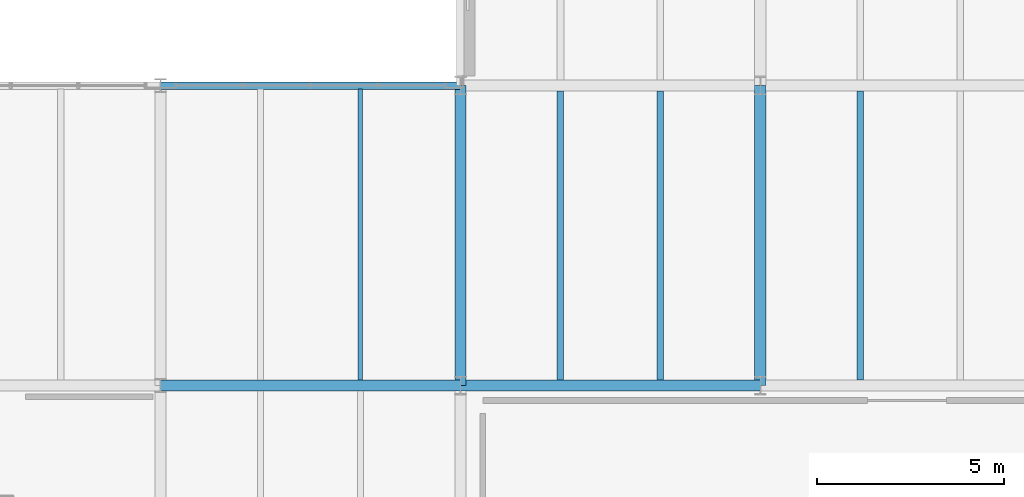
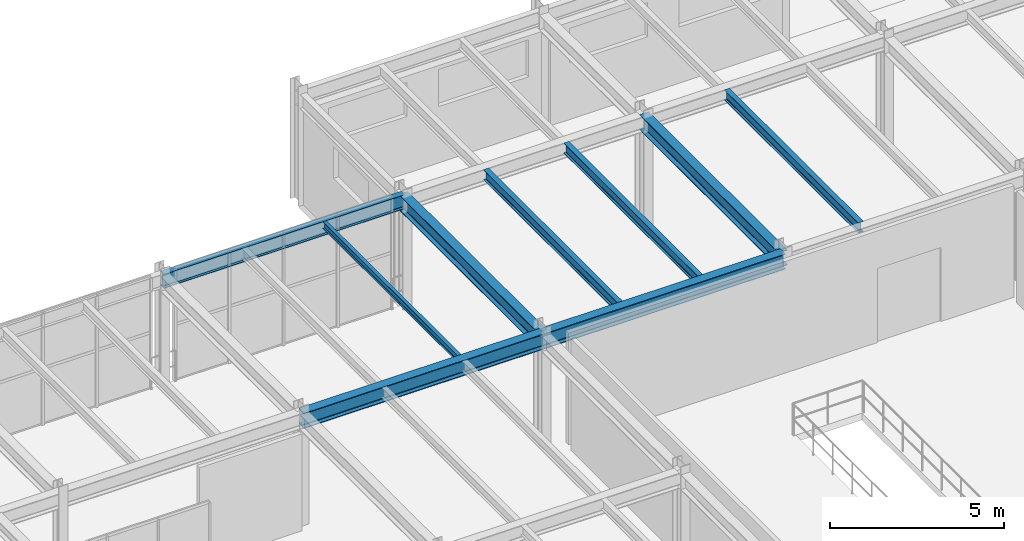
# One storey, part 39 of 122: 9 beams.
"""IFC4 building model written with IfcOpenShell, lengths in metres."""

import ifcopenshell
import ifcopenshell.guid

model = None  # the IFC model being written
_history = None  # IfcOwnerHistory: only IFC2X3 demands one
_inside = {}  # id of a spatial element -> (the spatial element, [elements in it])
_under = {}  # id of a project, library or spatial element -> (it, [spatial elements below it])
_declared = {}  # id of a project -> (the project, [libraries it declares])
_typed = {}  # id of a type object -> (the type object, [elements of that type])
_made_of = {}  # id of a material, layer set ... -> (it, [elements and type objects made of it])


def new_model(schema):
    """Start an empty IFC model of exactly this schema.

    Asked for "IFC4X3", IfcOpenShell would pick the latest addendum, in which some entities
    have other attributes; the version numbers below select the first issue.
    IFC2X3 requires an IfcOwnerHistory on every rooted entity: one is made here for all.
    """
    global model, _history
    if schema == "IFC4X3":
        model = ifcopenshell.file(schema_version=(4, 3, 0, 0))
    else:
        model = ifcopenshell.file(schema=schema)
    _inside.clear()
    _under.clear()
    _declared.clear()
    _typed.clear()
    _made_of.clear()
    _history = None
    if model.schema == "IFC2X3":
        org = make("IfcOrganization", Name="unknown")
        user = make(
            "IfcPersonAndOrganization",
            ThePerson=make("IfcPerson", FamilyName="unknown"),
            TheOrganization=org,
        )
        app = make(
            "IfcApplication",
            ApplicationDeveloper=org,
            Version="unknown",
            ApplicationFullName="unknown",
            ApplicationIdentifier="unknown",
        )
        _history = make(
            "IfcOwnerHistory",
            OwningUser=user,
            OwningApplication=app,
            ChangeAction="ADDED",
            CreationDate=0,
        )
    return model


def make(cls, **values):
    """One entity of the class cls with the attributes given. An attribute that is None is left unset."""
    return model.create_entity(
        cls, **{name: value for name, value in values.items() if value is not None}
    )


def rooted(cls, **values):
    """An entity with a GlobalId (a new one), such as an element, a storey or a relation."""
    return make(cls, GlobalId=ifcopenshell.guid.new(), OwnerHistory=_history, **values)


def si_unit(unit_type, name, prefix=None):
    """IfcSIUnit, for example si_unit("LENGTHUNIT", "METRE", prefix="MILLI")."""
    return make("IfcSIUnit", UnitType=unit_type, Prefix=prefix, Name=name)


def assignment(units):
    """IfcUnitAssignment: the units of a project."""
    return None if units is None else make("IfcUnitAssignment", Units=units)


def point(xyz):
    """IfcCartesianPoint."""
    return None if xyz is None else make("IfcCartesianPoint", Coordinates=xyz)


def direction(xyz):
    """IfcDirection."""
    return None if xyz is None else make("IfcDirection", DirectionRatios=xyz)


def frame(location, z_axis=None, x_axis=None):
    """IfcAxis2Placement3D, a coordinate frame: its origin and axes. An axis left out is left unset."""
    return make(
        "IfcAxis2Placement3D",
        Location=point(location),
        Axis=direction(z_axis),
        RefDirection=direction(x_axis),
    )


def frame_2d(location, x_axis=None):
    """IfcAxis2Placement2D, a coordinate frame in the plane: its origin and x axis."""
    return make(
        "IfcAxis2Placement2D", Location=point(location), RefDirection=direction(x_axis)
    )


def origin():
    """The frame at (0, 0, 0) with its axes left unset."""
    return frame((0.0, 0.0, 0.0))


def origin_2d():
    """The frame at (0, 0) in the plane with its x axis left unset."""
    return frame_2d((0.0, 0.0))


def place(relative_to, where):
    """IfcLocalPlacement: puts the frame where relative to a parent placement (None: the world)."""
    return make(
        "IfcLocalPlacement", PlacementRelTo=relative_to, RelativePlacement=where
    )


def context(
    kind, dimensions, precision=None, world=None, true_north=None, identifier=None
):
    """IfcGeometricRepresentationContext, for example the 3D "Model" context."""
    return make(
        "IfcGeometricRepresentationContext",
        ContextIdentifier=identifier,
        ContextType=kind,
        CoordinateSpaceDimension=dimensions,
        Precision=precision,
        WorldCoordinateSystem=world,
        TrueNorth=true_north,
    )


def subcontext(parent, identifier, kind, view, scale=None):
    """IfcGeometricRepresentationSubContext, for example "Body" below "Model"."""
    return make(
        "IfcGeometricRepresentationSubContext",
        ContextIdentifier=identifier,
        ContextType=kind,
        ParentContext=parent,
        TargetScale=scale,
        TargetView=view,
    )


def project(units=None, contexts=None):
    """IfcProject with its units and contexts."""
    return rooted(
        "IfcProject",
        Name="project",
        RepresentationContexts=contexts,
        UnitsInContext=assignment(units),
    )


def spatial(cls, under=None, at=None, **own):
    """A site, building, storey or space (cls), placed at a placement, below another one or the project."""
    s = rooted(cls, ObjectPlacement=at, **own)
    if under is not None:
        _under.setdefault(under.id(), (under, []))[1].append(s)
    return s


def profile(cls, at=None, kind="AREA", **sizes):
    """A parametric profile (cls). Its sizes go by their IFC names, for example OverallWidth=200.0."""
    return make(cls, ProfileType=kind, Position=at, **sizes)


def i_section(**sizes):
    """IfcIShapeProfileDef."""
    return profile("IfcIShapeProfileDef", **sizes)


def extrude(swept, where, along, depth):
    """IfcExtrudedAreaSolid: the profile swept, set in the frame where, extruded along a direction by depth."""
    return make(
        "IfcExtrudedAreaSolid",
        SweptArea=swept,
        Position=where,
        ExtrudedDirection=direction(along),
        Depth=depth,
    )


def shape(context_of_items, identifier, shape_type, items):
    """IfcShapeRepresentation: the items that make up one representation, for example the "Body"."""
    return make(
        "IfcShapeRepresentation",
        ContextOfItems=context_of_items,
        RepresentationIdentifier=identifier,
        RepresentationType=shape_type,
        Items=items,
    )


def material(Name=None, Category=None):
    """IfcMaterial."""
    return make("IfcMaterial", Name=Name, Category=Category)


def material_profile(
    of_material, cross_section, Name=None, Category=None, Priority=None
):
    """IfcMaterialProfile: a cross section and its material."""
    return make(
        "IfcMaterialProfile",
        Name=Name,
        Material=of_material,
        Profile=cross_section,
        Priority=Priority,
        Category=Category,
    )


def profile_set(profiles, Name=None, composite=None):
    """IfcMaterialProfileSet."""
    return make(
        "IfcMaterialProfileSet",
        Name=Name,
        MaterialProfiles=profiles,
        CompositeProfile=composite,
    )


def made_of(thing, what):
    """Note that an element or type object is made of a material, layer set ...; save() writes the relation."""
    if what is not None:
        _made_of.setdefault(what.id(), (what, []))[1].append(thing)
    return thing


def type_object(cls, material=None, **own):
    """A type object (cls), such as IfcWallType, which elements share."""
    return made_of(rooted(cls, **own), material)


def element(
    cls,
    number,
    at=None,
    inside=None,
    cuts=None,
    type_object=None,
    material=None,
    context=None,
    identifier="Body",
    shape_type=None,
    held_by="IfcProductDefinitionShape",
    body=None,
    shapes=None,
    **own,
):
    """One element of the class cls, such as IfcWall. Its Tag is "e" and its number.

    at: its placement. inside: the storey or other place that contains it. cuts: it is an
    opening in that element (IfcRelVoidsElement). A single representation is given by context,
    identifier, shape_type and body (its items); several are given by shapes. held_by: the class
    of the entity that holds the representations. save() writes the other relations.
    """
    e = rooted(cls, Tag="e%d" % number, ObjectPlacement=at, **own)
    if body is not None:
        shapes = [shape(context, identifier, shape_type, body)]
    if shapes is not None:
        e.Representation = make(held_by, Representations=shapes)
    if inside is not None:
        _inside.setdefault(inside.id(), (inside, []))[1].append(e)
    if cuts is not None:
        rooted(
            "IfcRelVoidsElement", RelatingBuildingElement=cuts, RelatedOpeningElement=e
        )
    if type_object is not None:
        _typed.setdefault(type_object.id(), (type_object, []))[1].append(e)
    return made_of(e, material)


def aggregate(whole, parts):
    """IfcRelAggregates: a whole, such as a stair, and the parts it consists of."""
    return rooted("IfcRelAggregates", RelatingObject=whole, RelatedObjects=parts)


def save(model, path):
    """Write the relations noted so far, then the file.

    IfcRelAggregates (storeys below a building ...), IfcRelContainedInSpatialStructure (elements
    in a storey), IfcRelDefinesByType, IfcRelAssociatesMaterial and IfcRelDeclares: one each for
    every whole, place, type object, material and project.
    """
    for whole, parts in _under.values():
        aggregate(whole, parts)
    for where, things in _inside.values():
        rooted(
            "IfcRelContainedInSpatialStructure",
            RelatedElements=things,
            RelatingStructure=where,
        )
    for kind, things in _typed.values():
        rooted("IfcRelDefinesByType", RelatedObjects=things, RelatingType=kind)
    for what, things in _made_of.values():
        rooted("IfcRelAssociatesMaterial", RelatedObjects=things, RelatingMaterial=what)
    for by, libraries in _declared.values():
        rooted("IfcRelDeclares", RelatingContext=by, RelatedDefinitions=libraries)
    model.write(path)


model = new_model("IFC4")

# Units and contexts
model_context = context("Model", 3, precision=1e-05, world=origin(), true_north=direction((0.0, 1.0)))
body_context = subcontext(model_context, "Body", "Model", "MODEL_VIEW")
ifc_project = project(units=[si_unit("LENGTHUNIT", "METRE"), si_unit("AREAUNIT", "SQUARE_METRE"), si_unit("VOLUMEUNIT", "CUBIC_METRE"), si_unit("PLANEANGLEUNIT", "RADIAN"), si_unit("MASSUNIT", "GRAM", prefix="KILO")], contexts=[model_context])

# Site, building, storey
site_placement = place(None, origin())
site = spatial("IfcSite", under=ifc_project, at=site_placement, CompositionType="ELEMENT")
building_placement = place(site_placement, origin())
building = spatial("IfcBuilding", under=site, at=building_placement, Name="Sundkrona Museum", CompositionType="ELEMENT")
storey_placement = place(building_placement, frame((0.0, 0.0, 5.39990234375)))
storey = spatial("IfcBuildingStorey", under=building, at=storey_placement, Name="L01", CompositionType="ELEMENT", Elevation=5.39990234375)

# Beams
ifc_material = material(Name="Steel S355J2", Category="steel")
ifc_material_profile_1 = material_profile(ifc_material, i_section(OverallWidth=0.300048828125, OverallDepth=0.5400390625, WebThickness=0.012451171875, FlangeThickness=0.02392578125, FilletRadius=0.027099609375, at=origin_2d()), Name="HEA 550")
ifc_profile_set_1 = profile_set([ifc_material_profile_1], Name="Steel S355J2")
beam_type_1 = type_object("IfcBeamType", Name="B-HEA550", PredefinedType="BEAM", material=ifc_profile_set_1)
for number, where, z_axis, x_axis, name in (
    (1, (112.0, 32.0, 3.650146484375), (1.0, 0.0, 0.0), (0.0, 1.0, 0.0), "L01 Girder X-0840"),
    (2, (120.0, 32.0, 3.650146484375), (1.0, 0.0, 0.0), (0.0, 1.0, 0.0), "L01 Girder X-0841"),
    (3, (120.0, 32.0, 3.650146484375), (0.0, 1.0, 0.0), (-1.0, 0.0, 0.0), "L01 Girder Y-1046"),
    (4, (128.0, 32.0, 3.650146484375), (0.0, 1.0, 0.0), (-1.0, 0.0, 0.0), "L01 Girder Y-1051"),
):
    element("IfcBeam", number, at=place(storey_placement, frame(where, z_axis=z_axis, x_axis=x_axis)), inside=storey, type_object=beam_type_1, Name=name, PredefinedType="BEAM", context=body_context, shape_type="SweptSolid", body=[
        extrude(i_section(OverallWidth=0.300048828125, OverallDepth=0.5400390625, WebThickness=0.012451171875, FlangeThickness=0.02392578125, FilletRadius=0.027099609375, at=origin_2d()), origin(), (0.0, 0.0, 1.0), 8.0),
    ])
ifc_material_profile_2 = material_profile(ifc_material, i_section(OverallWidth=0.1201171875, OverallDepth=0.239990234375, WebThickness=0.006103515625, FlangeThickness=0.009765625, FilletRadius=0.014892578125, at=origin_2d()), Name="IPE 240")
ifc_profile_set_2 = profile_set([ifc_material_profile_2], Name="Steel S355J2")
beam_type_2 = type_object("IfcBeamType", Name="J-IPE240", PredefinedType="JOIST", material=ifc_profile_set_2)
beam_1_placement = place(storey_placement, frame((117.333251953125, 32.14404296875, 3.800048828125), z_axis=(0.0, 1.0, 0.0), x_axis=(-1.0, 0.0, 0.0)))
element("IfcBeam", 5, at=beam_1_placement, inside=storey, type_object=beam_type_2, Name="L01 Composite Joist 0665", PredefinedType="JOIST", context=body_context, shape_type="SweptSolid", body=[
    extrude(i_section(OverallWidth=0.1201171875, OverallDepth=0.239990234375, WebThickness=0.006103515625, FlangeThickness=0.009765625, FilletRadius=0.014892578125, at=origin_2d()), origin(), (0.0, 0.0, 1.0), 7.761962890625),
])
ifc_material_profile_3 = material_profile(ifc_material, i_section(OverallWidth=0.169921875, OverallDepth=0.360107421875, WebThickness=0.008056640625, FlangeThickness=0.0126953125, FilletRadius=0.01806640625, at=origin_2d()), Name="IPE 360")
ifc_profile_set_3 = profile_set([ifc_material_profile_3], Name="Steel S355J2")
beam_type_3 = type_object("IfcBeamType", Name="J-IPE360", PredefinedType="JOIST", material=ifc_profile_set_3)
for number, where, z_axis, x_axis, name in (
    (6, (122.666748046875, 32.14404296875, 3.739990234375), (0.0, 1.0, 0.0), (-1.0, 0.0, 0.0), "L01 Composite Joist 0668"),
    (7, (125.333251953125, 32.14404296875, 3.739990234375), (0.0, 1.0, 0.0), (-1.0, 0.0, 0.0), "L01 Composite Joist 0669"),
    (8, (130.666748046875, 32.14404296875, 3.739990234375), (0.0, 1.0, 0.0), (-1.0, 0.0, 0.0), "L01 Composite Joist 0676"),
):
    element("IfcBeam", number, at=place(storey_placement, frame(where, z_axis=z_axis, x_axis=x_axis)), inside=storey, type_object=beam_type_3, Name=name, PredefinedType="JOIST", context=body_context, shape_type="SweptSolid", body=[
        extrude(i_section(OverallWidth=0.169921875, OverallDepth=0.360107421875, WebThickness=0.008056640625, FlangeThickness=0.0126953125, FilletRadius=0.01806640625, at=origin_2d()), origin(), (0.0, 0.0, 1.0), 7.7119140625),
    ])
ifc_material_profile_4 = material_profile(ifc_material, i_section(OverallWidth=0.199951171875, OverallDepth=0.5, WebThickness=0.01025390625, FlangeThickness=0.01611328125, FilletRadius=0.02099609375, at=origin_2d()), Name="IPE 500")
ifc_profile_set_4 = profile_set([ifc_material_profile_4], Name="Steel S355J2")
beam_type_4 = type_object("IfcBeamType", Name="SP-IPE500", PredefinedType="SPANDREL", material=ifc_profile_set_4)
beam_2_placement = place(storey_placement, frame((112.0, 40.0, 3.670166015625), z_axis=(1.0, 0.0, 0.0), x_axis=(0.0, 1.0, 0.0)))
element("IfcBeam", 9, at=beam_2_placement, inside=storey, type_object=beam_type_4, Name="L01 Girder X-0853", PredefinedType="SPANDREL", context=body_context, shape_type="SweptSolid", body=[
    extrude(i_section(OverallWidth=0.199951171875, OverallDepth=0.5, WebThickness=0.01025390625, FlangeThickness=0.01611328125, FilletRadius=0.02099609375, at=origin_2d()), origin(), (0.0, 0.0, 1.0), 8.0),
])

save(model, "model.ifc")
